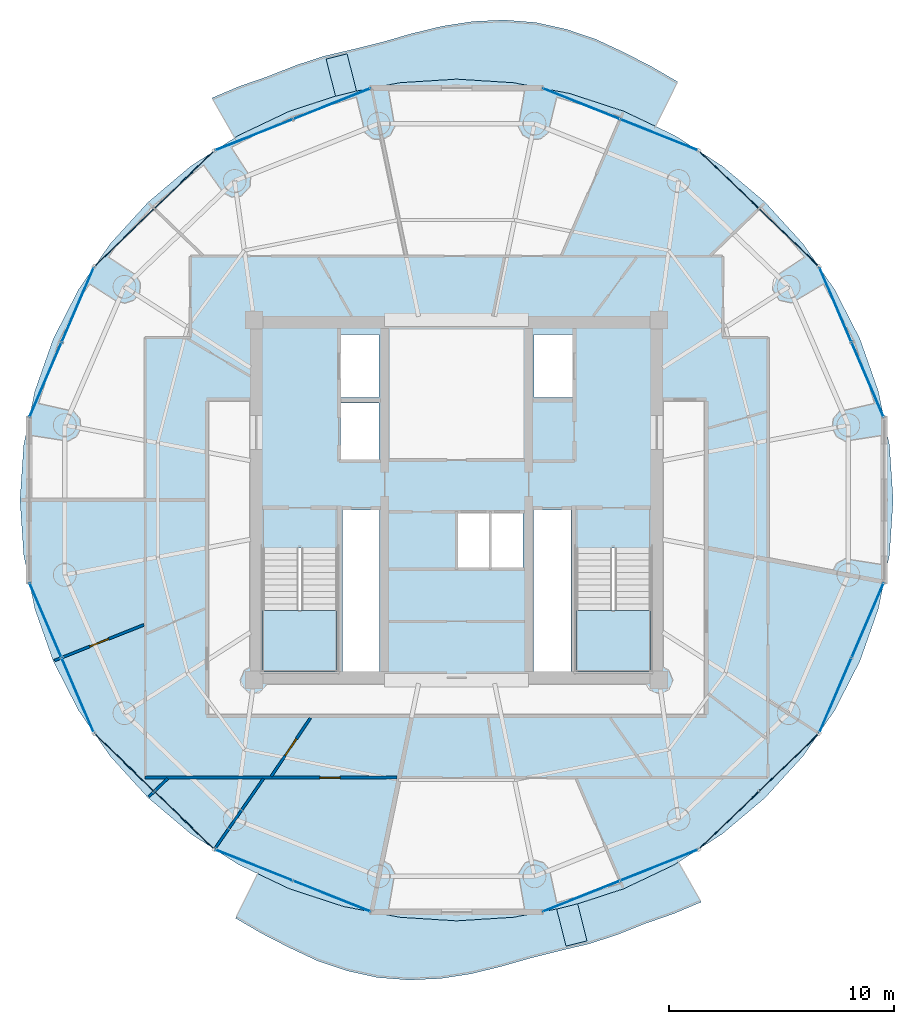
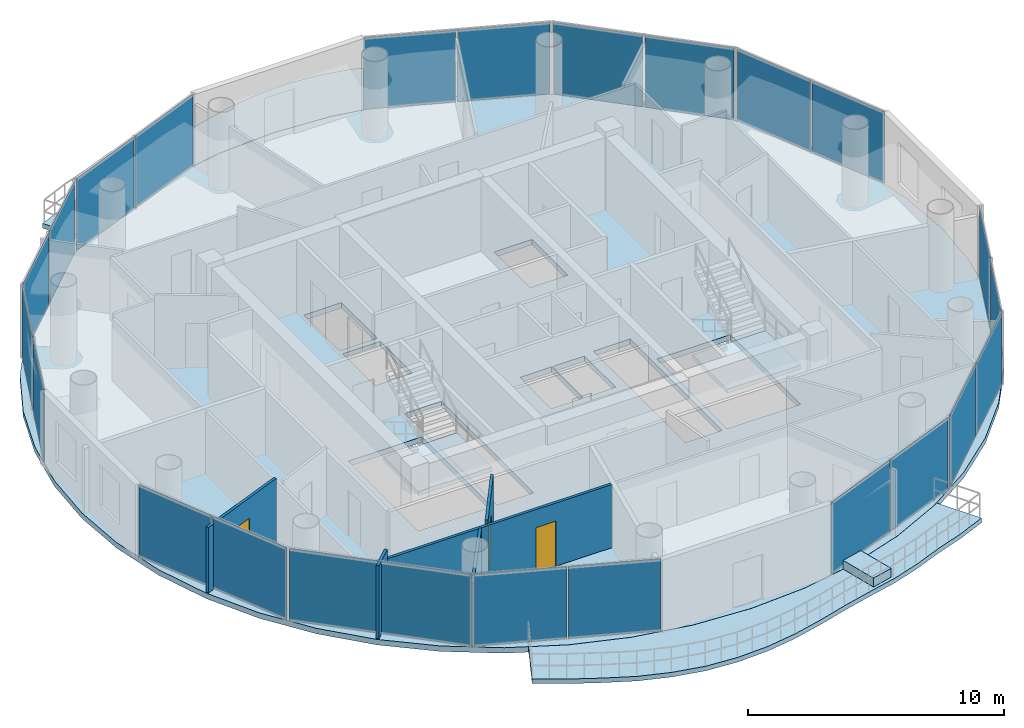
# One storey, part 16 of 23: 24 plates, 7 slabs, 5 walls, 3 doors, 3 openings, 14 elements without a shape of their own.
"""IFC4 building model written with IfcOpenShell, lengths in metres."""

from ifc_helpers import new_model, si_unit, direction, frame, frame_2d, origin, origin_2d, place, context, subcontext, project, spatial, polyline, rectangle, outline, extrude, source, transform, mapped, material, layer, layer_set, type_object, element, fill, aggregate, save


model = new_model("IFC4")

# Units and contexts
model_context = context("Model", 3, precision=1e-05, world=origin(), true_north=direction((-0.2419218956, 0.970295726276)))
body_context = subcontext(model_context, "Body", "Model", "MODEL_VIEW")
ifc_project = project(units=[si_unit("LENGTHUNIT", "METRE"), si_unit("AREAUNIT", "SQUARE_METRE"), si_unit("VOLUMEUNIT", "CUBIC_METRE"), si_unit("PLANEANGLEUNIT", "RADIAN"), si_unit("MASSUNIT", "GRAM", prefix="KILO")], contexts=[model_context])

# Site, building, storey
site_placement = place(None, origin())
site = spatial("IfcSite", under=ifc_project, at=site_placement, CompositionType="ELEMENT")
building_placement = place(site_placement, origin())
building = spatial("IfcBuilding", under=site, at=building_placement, Name="Cobrevalo Terracotta Tower", CompositionType="ELEMENT")
storey_placement = place(building_placement, frame((0.0, 0.0, 266.949951171875)))
storey = spatial("IfcBuildingStorey", under=building, at=storey_placement, Name="L70", CompositionType="ELEMENT", Elevation=266.949951171875)

# Stair, slab
ifc_material_1 = material(Name="Concrete C50", Category="concrete")
stair_type = type_object("IfcStairType", Name="Core protected escape dogleg stair 1600", PredefinedType="HALF_TURN_STAIR", material=ifc_material_1)
stair_1_placement = place(storey_placement, origin())
stair_1 = element("IfcStair", 1, at=stair_1_placement, inside=storey, type_object=stair_type, Name="L70 Protected exit stair ST-1", PredefinedType="HALF_TURN_STAIR")
ifc_layer_1 = layer(ifc_material_1, 0.199951171875)
ifc_layer_set_1 = layer_set([ifc_layer_1], Name="Concrete C50")
slab_type_1 = type_object("IfcSlabType", Name="Reinforced Concrete Stair Landing 200", PredefinedType="LANDING", material=ifc_layer_set_1)
slab_1_placement = place(storey_placement, frame((0.0, 0.0, 1.675048828125)))
slab_1 = element("IfcSlab", 2, at=slab_1_placement, type_object=slab_type_1, Name="ST-1 landing 1", PredefinedType="LANDING", context=body_context, shape_type="SweptSolid", body=[
    extrude(outline(polyline([(29.375, 21.89990234375), (29.375, 19.175048828125), (32.695068359375, 19.175048828125), (32.695068359375, 21.89990234375), (29.375, 21.89990234375)])), origin(), (0.0, 0.0, 1.0), 0.199951171875),
])
aggregate(stair_1, [slab_1])

stair_2_placement = place(storey_placement, origin())
stair_2 = element("IfcStair", 3, at=stair_2_placement, inside=storey, type_object=stair_type, Name="L70 Protected exit stair ST-2", PredefinedType="HALF_TURN_STAIR")
slab_2_placement = place(storey_placement, frame((0.0, 0.0, 1.675048828125)))
slab_2 = element("IfcSlab", 4, at=slab_2_placement, type_object=slab_type_1, Name="ST-2 landing 1", PredefinedType="LANDING", context=body_context, shape_type="SweptSolid", body=[
    extrude(outline(polyline([(43.304931640625, 21.89990234375), (43.304931640625, 19.175048828125), (46.625, 19.175048828125), (46.625, 21.89990234375), (43.304931640625, 21.89990234375)])), origin(), (0.0, 0.0, 1.0), 0.199951171875),
])
aggregate(stair_2, [slab_2])

# Slabs
ifc_material_2 = material(Name="Concrete C45", Category="concrete")
ifc_layer_2 = layer(ifc_material_2, 0.219970703125)
ifc_layer_set_2 = layer_set([ifc_layer_2], Name="Concrete C45")
slab_type_2 = type_object("IfcSlabType", Name="Spiralling cantilevered balcony lobe slab 220 mm", PredefinedType="FLOOR", material=ifc_layer_set_2)
slab_3_placement = place(storey_placement, frame((0.0, 0.0, -0.219970703125)))
element("IfcSlab", 5, at=slab_3_placement, inside=storey, type_object=slab_type_2, Name="L70 spiralling arc balcony slab lobe 1", PredefinedType="FLOOR", context=body_context, shape_type="SweptSolid", body=[
    extrude(outline(polyline([(47.822509765625, 45.383056640625), (46.648193359375, 46.066650390625), (45.4306640625, 46.692138671875), (44.17578125, 47.2802734375), (42.86181640625, 47.72314453125), (41.503662109375, 48.021240234375), (40.118896484375, 48.129150390625), (38.728271484375, 48.066162109375), (37.357666015625, 47.854736328125), (36.015625, 47.52734375), (34.709228515625, 47.15283203125), (33.411865234375, 46.8291015625), (32.11767578125, 46.525634765625), (30.853515625, 46.113525390625), (29.621826171875, 45.6220703125), (28.361083984375, 45.186279296875), (27.12841796875, 44.664794921875), (28.1376953125, 42.892578125), (28.299072265625, 42.996337890625), (30.5751953125, 44.078369140625), (32.978271484375, 44.86474609375), (35.467529296875, 45.342041015625), (38.0, 45.501953125), (40.532470703125, 45.342041015625), (43.021728515625, 44.86474609375), (45.4248046875, 44.078369140625), (46.84326171875, 43.404296875), (47.822509765625, 45.383056640625)])), origin(), (0.0, 0.0, 1.0), 0.219970703125),
])
slab_4_placement = place(storey_placement, frame((0.0, 0.0, -0.219970703125)))
element("IfcSlab", 6, at=slab_4_placement, inside=storey, type_object=slab_type_2, Name="L70 spiralling arc balcony slab lobe 2", PredefinedType="FLOOR", context=body_context, shape_type="SweptSolid", body=[
    extrude(outline(polyline([(28.177490234375, 8.216796875), (29.351806640625, 7.533447265625), (30.5693359375, 6.907958984375), (31.82421875, 6.319580078125), (33.13818359375, 5.876953125), (34.496337890625, 5.57861328125), (35.881103515625, 5.470947265625), (37.271728515625, 5.533935546875), (38.642333984375, 5.745361328125), (39.984375, 6.072509765625), (41.290771484375, 6.447021484375), (42.588134765625, 6.77099609375), (43.88232421875, 7.074462890625), (45.146484375, 7.486328125), (46.378173828125, 7.97802734375), (47.638916015625, 8.41357421875), (48.87158203125, 8.93505859375), (47.8623046875, 10.70751953125), (47.700927734375, 10.603515625), (45.4248046875, 9.521484375), (43.021728515625, 8.7353515625), (40.532470703125, 8.258056640625), (38.0, 8.097900390625), (35.467529296875, 8.258056640625), (32.978271484375, 8.7353515625), (30.5751953125, 9.521484375), (29.15673828125, 10.19580078125), (28.177490234375, 8.216796875)])), origin(), (0.0, 0.0, 1.0), 0.219970703125),
])
ifc_material_3 = material(Name="Precast concrete C45", Category="concrete")
ifc_layer_3 = layer(ifc_material_3, 0.419921875)
ifc_layer_set_3 = layer_set([ifc_layer_3], Name="Precast concrete C45")
slab_type_3 = type_object("IfcSlabType", Name="Structural tree planter trough base 420 mm", PredefinedType="USERDEFINED", material=ifc_layer_set_3)
slab_5_placement = place(storey_placement, origin())
element("IfcSlab", 7, at=slab_5_placement, inside=storey, type_object=slab_type_3, Name="L70 structural tree planter trough 1", ObjectType="PLANTER", PredefinedType="USERDEFINED", context=body_context, shape_type="SweptSolid", body=[
    extrude(outline(polyline([(33.552001953125, 44.97705078125), (33.135498046875, 46.625244140625), (32.204833984375, 46.389892578125), (32.621337890625, 44.74169921875), (33.552001953125, 44.97705078125)])), origin(), (0.0, 0.0, 1.0), 0.420166015625),
])
slab_6_placement = place(storey_placement, origin())
element("IfcSlab", 8, at=slab_6_placement, inside=storey, type_object=slab_type_3, Name="L70 structural tree planter trough 2", ObjectType="PLANTER", PredefinedType="USERDEFINED", context=body_context, shape_type="SweptSolid", body=[
    extrude(outline(polyline([(42.447998046875, 8.623046875), (42.864501953125, 6.974853515625), (43.795166015625, 7.2099609375), (43.378662109375, 8.858154296875), (42.447998046875, 8.623046875)])), origin(), (0.0, 0.0, 1.0), 0.420166015625),
])
ifc_layer_4 = layer(ifc_material_2, 0.260009765625)
ifc_layer_set_4 = layer_set([ifc_layer_4], Name="Concrete C45")
slab_type_4 = type_object("IfcSlabType", Name="Zone Z5 elliptical floor plate 260 mm", PredefinedType="FLOOR", material=ifc_layer_set_4)
slab_7_placement = place(storey_placement, frame((0.0, 0.0, -0.260009765625)))
element("IfcSlab", 9, at=slab_7_placement, inside=storey, type_object=slab_type_4, Name="L70 indoor elliptical floor slab", PredefinedType="FLOOR", context=body_context, shape_type="SweptSolid", body=[
    extrude(outline(polyline([(57.234130859375, 24.359130859375), (56.739013671875, 21.9599609375), (55.92333984375, 19.643798828125), (54.80078125, 17.449951171875), (53.39111328125, 15.416259765625), (51.7177734375, 13.5771484375), (49.81005859375, 11.96435546875), (47.699951171875, 10.605224609375), (45.424072265625, 9.5234375), (43.02099609375, 8.7373046875), (40.5322265625, 8.260009765625), (38.0, 8.10009765625), (35.4677734375, 8.260009765625), (32.97900390625, 8.7373046875), (30.575927734375, 9.5234375), (28.300048828125, 10.605224609375), (26.18994140625, 11.96435546875), (24.2822265625, 13.5771484375), (22.60888671875, 15.416259765625), (21.19921875, 17.449951171875), (20.07666015625, 19.643798828125), (19.260986328125, 21.9599609375), (18.765869140625, 24.359130859375), (18.60009765625, 26.800048828125), (18.765869140625, 29.24072265625), (19.260986328125, 31.639892578125), (20.07666015625, 33.956298828125), (21.19921875, 36.14990234375), (22.60888671875, 38.183837890625), (24.2822265625, 40.02294921875), (26.18994140625, 41.6357421875), (28.300048828125, 42.99462890625), (30.575927734375, 44.07666015625), (32.97900390625, 44.86279296875), (35.4677734375, 45.340087890625), (38.0, 45.5), (40.5322265625, 45.340087890625), (43.02099609375, 44.86279296875), (45.424072265625, 44.07666015625), (47.699951171875, 42.99462890625), (49.81005859375, 41.6357421875), (51.7177734375, 40.02294921875), (53.39111328125, 38.183837890625), (54.80078125, 36.14990234375), (55.92333984375, 33.956298828125), (56.739013671875, 31.639892578125), (57.234130859375, 29.24072265625), (57.39990234375, 26.800048828125), (57.234130859375, 24.359130859375)]), holes=[polyline([(32.695068359375, 19.175048828125), (32.695068359375, 24.659912109375), (29.375, 24.659912109375), (29.375, 19.175048828125), (32.695068359375, 19.175048828125)]), polyline([(46.625, 19.175048828125), (46.625, 24.659912109375), (43.304931640625, 24.659912109375), (43.304931640625, 19.175048828125), (46.625, 19.175048828125)]), polyline([(34.574951171875, 26.360107421875), (32.919921875, 26.360107421875), (32.919921875, 19.175048828125), (34.574951171875, 19.175048828125), (34.574951171875, 26.360107421875)]), polyline([(43.080078125, 26.360107421875), (41.425048828125, 26.360107421875), (41.425048828125, 19.175048828125), (43.080078125, 19.175048828125), (43.080078125, 26.360107421875)]), polyline([(39.469970703125, 26.25), (38.0400390625, 26.25), (38.0400390625, 23.800048828125), (39.469970703125, 23.800048828125), (39.469970703125, 26.25)]), polyline([(40.949951171875, 26.25), (39.52001953125, 26.25), (39.52001953125, 23.800048828125), (40.949951171875, 23.800048828125), (40.949951171875, 26.25)]), polyline([(34.550048828125, 31.10009765625), (32.85009765625, 31.10009765625), (32.85009765625, 28.60009765625), (34.550048828125, 28.60009765625), (34.550048828125, 31.10009765625)]), polyline([(34.550048828125, 31.35009765625), (34.550048828125, 34.14990234375), (32.85009765625, 34.14990234375), (32.85009765625, 31.35009765625), (34.550048828125, 31.35009765625)]), polyline([(43.14990234375, 31.35009765625), (43.14990234375, 34.14990234375), (41.449951171875, 34.14990234375), (41.449951171875, 31.35009765625), (43.14990234375, 31.35009765625)])]), origin(), (0.0, 0.0, 1.0), 0.260009765625),
])

# Curtain wall, plates
ifc_material_4 = material(Name="Anodized aluminium", Category="aluminium")
curtain_wall_type = type_object("IfcCurtainWallType", Name="Upper-tower triple-glazed penthouse curtain wall CW-U3", PredefinedType="NOTDEFINED", material=ifc_material_4)
curtain_wall_1_placement = place(storey_placement, origin())
curtain_wall_1 = element("IfcCurtainWall", 10, at=curtain_wall_1_placement, inside=storey, type_object=curtain_wall_type, Name="L70 curtain wall CW-L70-S02", PredefinedType="NOTDEFINED")
ifc_material_5 = material(Name="Solar-control low-E double glazing", Category="glass")
ifc_layer_5 = layer(ifc_material_5, 0.028076171875)
ifc_layer_set_5 = layer_set([ifc_layer_5], Name="Solar-control low-E double glazing")
plate_type = type_object("IfcPlateType", Name="Tower solar-control low-E vision glass panel 28 mm", PredefinedType="CURTAIN_PANEL", material=ifc_layer_set_5)
shared_shape_1 = source(origin(), body_context, "Body", "SweptSolid", [
    extrude(rectangle(XDim=3.59130859375, YDim=0.035888671875, at=origin_2d()), origin(), (0.0, 0.0, 1.0), 3.409912109375),
])
plate_1_placement = place(storey_placement, frame((52.755126953125, 38.47412109375, 0.0400390625), z_axis=(0.0, 0.0, 1.0), x_axis=(-0.719996603293, 0.693977586992, 0.0)))
plate_1 = element("IfcPlate", 11, at=plate_1_placement, type_object=plate_type, Name="CW-L70-S02 glazing panel B01", PredefinedType="CURTAIN_PANEL", context=body_context, shape_type="MappedRepresentation", body=[
    mapped(shared_shape_1, transform((0.0, 0.0, 0.0), scale=1.0)),
])
plate_2_placement = place(storey_placement, frame((50.11181640625, 41.02197265625, 0.0400390625), z_axis=(0.0, 0.0, 1.0), x_axis=(-0.719996603293, 0.693977586992, 0.0)))
plate_2 = element("IfcPlate", 12, at=plate_2_placement, type_object=plate_type, Name="CW-L70-S02 glazing panel B02", PredefinedType="CURTAIN_PANEL", context=body_context, shape_type="MappedRepresentation", body=[
    mapped(shared_shape_1, transform((0.0, 0.0, 0.0), scale=1.0)),
])
aggregate(curtain_wall_1, [plate_1, plate_2])

curtain_wall_2_placement = place(storey_placement, origin())
curtain_wall_2 = element("IfcCurtainWall", 13, at=curtain_wall_2_placement, inside=storey, type_object=curtain_wall_type, Name="L70 curtain wall CW-L70-S06", PredefinedType="NOTDEFINED")
plate_3_placement = place(storey_placement, frame((25.88818359375, 41.02197265625, 0.0400390625), z_axis=(0.0, 0.0, 1.0), x_axis=(-0.719996603293, -0.693977586992, 0.0)))
plate_3 = element("IfcPlate", 14, at=plate_3_placement, type_object=plate_type, Name="CW-L70-S06 glazing panel B01", PredefinedType="CURTAIN_PANEL", context=body_context, shape_type="MappedRepresentation", body=[
    mapped(shared_shape_1, transform((0.0, 0.0, 0.0), scale=1.0)),
])
plate_4_placement = place(storey_placement, frame((23.244873046875, 38.47412109375, 0.0400390625), z_axis=(0.0, 0.0, 1.0), x_axis=(-0.719996603293, -0.693977586992, 0.0)))
plate_4 = element("IfcPlate", 15, at=plate_4_placement, type_object=plate_type, Name="CW-L70-S06 glazing panel B02", PredefinedType="CURTAIN_PANEL", context=body_context, shape_type="MappedRepresentation", body=[
    mapped(shared_shape_1, transform((0.0, 0.0, 0.0), scale=1.0)),
])
aggregate(curtain_wall_2, [plate_3, plate_4])

curtain_wall_3_placement = place(storey_placement, origin())
curtain_wall_3 = element("IfcCurtainWall", 16, at=curtain_wall_3_placement, inside=storey, type_object=curtain_wall_type, Name="L70 curtain wall CW-L70-S10", PredefinedType="NOTDEFINED")
plate_5_placement = place(storey_placement, frame((23.244873046875, 15.1259765625, 0.0400390625), z_axis=(0.0, 0.0, 1.0), x_axis=(0.719996603293, -0.693977586992, 0.0)))
plate_5 = element("IfcPlate", 17, at=plate_5_placement, type_object=plate_type, Name="CW-L70-S10 glazing panel B01", PredefinedType="CURTAIN_PANEL", context=body_context, shape_type="MappedRepresentation", body=[
    mapped(shared_shape_1, transform((0.0, 0.0, 0.0), scale=1.0)),
])
plate_6_placement = place(storey_placement, frame((25.88818359375, 12.578125, 0.0400390625), z_axis=(0.0, 0.0, 1.0), x_axis=(0.719996603293, -0.693977586992, 0.0)))
plate_6 = element("IfcPlate", 18, at=plate_6_placement, type_object=plate_type, Name="CW-L70-S10 glazing panel B02", PredefinedType="CURTAIN_PANEL", context=body_context, shape_type="MappedRepresentation", body=[
    mapped(shared_shape_1, transform((0.0, 0.0, 0.0), scale=1.0)),
])
aggregate(curtain_wall_3, [plate_5, plate_6])

curtain_wall_4_placement = place(storey_placement, origin())
curtain_wall_4 = element("IfcCurtainWall", 19, at=curtain_wall_4_placement, inside=storey, type_object=curtain_wall_type, Name="L70 curtain wall CW-L70-S14", PredefinedType="NOTDEFINED")
plate_7_placement = place(storey_placement, frame((50.11181640625, 12.578125, 0.0400390625), z_axis=(0.0, 0.0, 1.0), x_axis=(0.719996603293, 0.693977586992, 0.0)))
plate_7 = element("IfcPlate", 20, at=plate_7_placement, type_object=plate_type, Name="CW-L70-S14 glazing panel B01", PredefinedType="CURTAIN_PANEL", context=body_context, shape_type="MappedRepresentation", body=[
    mapped(shared_shape_1, transform((0.0, 0.0, 0.0), scale=1.0)),
])
plate_8_placement = place(storey_placement, frame((52.755126953125, 15.1259765625, 0.0400390625), z_axis=(0.0, 0.0, 1.0), x_axis=(0.719996603293, 0.693977586992, 0.0)))
plate_8 = element("IfcPlate", 21, at=plate_8_placement, type_object=plate_type, Name="CW-L70-S14 glazing panel B02", PredefinedType="CURTAIN_PANEL", context=body_context, shape_type="MappedRepresentation", body=[
    mapped(shared_shape_1, transform((0.0, 0.0, 0.0), scale=1.0)),
])
aggregate(curtain_wall_4, [plate_7, plate_8])

curtain_wall_5_placement = place(storey_placement, origin())
curtain_wall_5 = element("IfcCurtainWall", 22, at=curtain_wall_5_placement, inside=storey, type_object=curtain_wall_type, Name="L70 curtain wall CW-L70-S03", PredefinedType="NOTDEFINED")
shared_shape_2 = source(origin(), body_context, "Body", "SweptSolid", [
    extrude(rectangle(XDim=3.63916015625, YDim=0.035888671875, at=origin_2d()), origin(), (0.0, 0.0, 1.0), 3.409912109375),
])
plate_9_placement = place(storey_placement, frame((46.997314453125, 43.02783203125, 0.0400390625), z_axis=(0.0, 0.0, 1.0), x_axis=(-0.92871833374, 0.370785998353, 0.0)))
plate_9 = element("IfcPlate", 23, at=plate_9_placement, type_object=plate_type, Name="CW-L70-S03 glazing panel B01", PredefinedType="CURTAIN_PANEL", context=body_context, shape_type="MappedRepresentation", body=[
    mapped(shared_shape_2, transform((0.0, 0.0, 0.0), scale=1.0)),
])
plate_10_placement = place(storey_placement, frame((43.543212890625, 44.406982421875, 0.0400390625), z_axis=(0.0, 0.0, 1.0), x_axis=(-0.92871833374, 0.370785998353, 0.0)))
plate_10 = element("IfcPlate", 24, at=plate_10_placement, type_object=plate_type, Name="CW-L70-S03 glazing panel B02", PredefinedType="CURTAIN_PANEL", context=body_context, shape_type="MappedRepresentation", body=[
    mapped(shared_shape_2, transform((0.0, 0.0, 0.0), scale=1.0)),
])
aggregate(curtain_wall_5, [plate_9, plate_10])

curtain_wall_6_placement = place(storey_placement, origin())
curtain_wall_6 = element("IfcCurtainWall", 25, at=curtain_wall_6_placement, inside=storey, type_object=curtain_wall_type, Name="L70 curtain wall CW-L70-S05", PredefinedType="NOTDEFINED")
plate_11_placement = place(storey_placement, frame((32.456787109375, 44.406982421875, 0.0400390625), z_axis=(0.0, 0.0, 1.0), x_axis=(-0.92871833374, -0.370785998353, 0.0)))
plate_11 = element("IfcPlate", 26, at=plate_11_placement, type_object=plate_type, Name="CW-L70-S05 glazing panel B01", PredefinedType="CURTAIN_PANEL", context=body_context, shape_type="MappedRepresentation", body=[
    mapped(shared_shape_2, transform((0.0, 0.0, 0.0), scale=1.0)),
])
plate_12_placement = place(storey_placement, frame((29.002685546875, 43.02783203125, 0.0400390625), z_axis=(0.0, 0.0, 1.0), x_axis=(-0.92871833374, -0.370785998353, 0.0)))
plate_12 = element("IfcPlate", 27, at=plate_12_placement, type_object=plate_type, Name="CW-L70-S05 glazing panel B02", PredefinedType="CURTAIN_PANEL", context=body_context, shape_type="MappedRepresentation", body=[
    mapped(shared_shape_2, transform((0.0, 0.0, 0.0), scale=1.0)),
])
aggregate(curtain_wall_6, [plate_11, plate_12])

curtain_wall_7_placement = place(storey_placement, origin())
curtain_wall_7 = element("IfcCurtainWall", 28, at=curtain_wall_7_placement, inside=storey, type_object=curtain_wall_type, Name="L70 curtain wall CW-L70-S11", PredefinedType="NOTDEFINED")
plate_13_placement = place(storey_placement, frame((29.002685546875, 10.572021484375, 0.0400390625), z_axis=(0.0, 0.0, 1.0), x_axis=(0.92871833374, -0.370785998353, 0.0)))
plate_13 = element("IfcPlate", 29, at=plate_13_placement, type_object=plate_type, Name="CW-L70-S11 glazing panel B01", PredefinedType="CURTAIN_PANEL", context=body_context, shape_type="MappedRepresentation", body=[
    mapped(shared_shape_2, transform((0.0, 0.0, 0.0), scale=1.0)),
])
plate_14_placement = place(storey_placement, frame((32.456787109375, 9.193115234375, 0.0400390625), z_axis=(0.0, 0.0, 1.0), x_axis=(0.92871833374, -0.370785998353, 0.0)))
plate_14 = element("IfcPlate", 30, at=plate_14_placement, type_object=plate_type, Name="CW-L70-S11 glazing panel B02", PredefinedType="CURTAIN_PANEL", context=body_context, shape_type="MappedRepresentation", body=[
    mapped(shared_shape_2, transform((0.0, 0.0, 0.0), scale=1.0)),
])
aggregate(curtain_wall_7, [plate_13, plate_14])

curtain_wall_8_placement = place(storey_placement, origin())
curtain_wall_8 = element("IfcCurtainWall", 31, at=curtain_wall_8_placement, inside=storey, type_object=curtain_wall_type, Name="L70 curtain wall CW-L70-S13", PredefinedType="NOTDEFINED")
plate_15_placement = place(storey_placement, frame((43.543212890625, 9.193115234375, 0.0400390625), z_axis=(0.0, 0.0, 1.0), x_axis=(0.92871833374, 0.370785998353, 0.0)))
plate_15 = element("IfcPlate", 32, at=plate_15_placement, type_object=plate_type, Name="CW-L70-S13 glazing panel B01", PredefinedType="CURTAIN_PANEL", context=body_context, shape_type="MappedRepresentation", body=[
    mapped(shared_shape_2, transform((0.0, 0.0, 0.0), scale=1.0)),
])
plate_16_placement = place(storey_placement, frame((46.997314453125, 10.572021484375, 0.0400390625), z_axis=(0.0, 0.0, 1.0), x_axis=(0.92871833374, 0.370785998353, 0.0)))
plate_16 = element("IfcPlate", 33, at=plate_16_placement, type_object=plate_type, Name="CW-L70-S13 glazing panel B02", PredefinedType="CURTAIN_PANEL", context=body_context, shape_type="MappedRepresentation", body=[
    mapped(shared_shape_2, transform((0.0, 0.0, 0.0), scale=1.0)),
])
aggregate(curtain_wall_8, [plate_15, plate_16])

curtain_wall_9_placement = place(storey_placement, origin())
curtain_wall_9 = element("IfcCurtainWall", 34, at=curtain_wall_9_placement, inside=storey, type_object=curtain_wall_type, Name="L70 curtain wall CW-L70-S01", PredefinedType="NOTDEFINED")
shared_shape_3 = source(origin(), body_context, "Body", "SweptSolid", [
    extrude(rectangle(XDim=3.542724609375, YDim=0.035888671875, at=origin_2d()), origin(), (0.0, 0.0, 1.0), 3.409912109375),
])
plate_17_placement = place(storey_placement, frame((56.266845703125, 32.143310546875, 0.0400390625), z_axis=(0.0, 0.0, 1.0), x_axis=(-0.394828845134, 0.918754691444, 0.0)))
plate_17 = element("IfcPlate", 35, at=plate_17_placement, type_object=plate_type, Name="CW-L70-S01 glazing panel B01", PredefinedType="CURTAIN_PANEL", context=body_context, shape_type="MappedRepresentation", body=[
    mapped(shared_shape_3, transform((0.0, 0.0, 0.0), scale=1.0)),
])
plate_18_placement = place(storey_placement, frame((54.83642578125, 35.4716796875, 0.0400390625), z_axis=(0.0, 0.0, 1.0), x_axis=(-0.394828845134, 0.918754691444, 0.0)))
plate_18 = element("IfcPlate", 36, at=plate_18_placement, type_object=plate_type, Name="CW-L70-S01 glazing panel B02", PredefinedType="CURTAIN_PANEL", context=body_context, shape_type="MappedRepresentation", body=[
    mapped(shared_shape_3, transform((0.0, 0.0, 0.0), scale=1.0)),
])
aggregate(curtain_wall_9, [plate_17, plate_18])

curtain_wall_10_placement = place(storey_placement, origin())
curtain_wall_10 = element("IfcCurtainWall", 37, at=curtain_wall_10_placement, inside=storey, type_object=curtain_wall_type, Name="L70 curtain wall CW-L70-S07", PredefinedType="NOTDEFINED")
plate_19_placement = place(storey_placement, frame((21.16357421875, 35.4716796875, 0.0400390625), z_axis=(0.0, 0.0, 1.0), x_axis=(-0.394828845134, -0.918754691444, 0.0)))
plate_19 = element("IfcPlate", 38, at=plate_19_placement, type_object=plate_type, Name="CW-L70-S07 glazing panel B01", PredefinedType="CURTAIN_PANEL", context=body_context, shape_type="MappedRepresentation", body=[
    mapped(shared_shape_3, transform((0.0, 0.0, 0.0), scale=1.0)),
])
plate_20_placement = place(storey_placement, frame((19.733154296875, 32.143310546875, 0.0400390625), z_axis=(0.0, 0.0, 1.0), x_axis=(-0.394828845134, -0.918754691444, 0.0)))
plate_20 = element("IfcPlate", 39, at=plate_20_placement, type_object=plate_type, Name="CW-L70-S07 glazing panel B02", PredefinedType="CURTAIN_PANEL", context=body_context, shape_type="MappedRepresentation", body=[
    mapped(shared_shape_3, transform((0.0, 0.0, 0.0), scale=1.0)),
])
aggregate(curtain_wall_10, [plate_19, plate_20])

curtain_wall_11_placement = place(storey_placement, origin())
curtain_wall_11 = element("IfcCurtainWall", 40, at=curtain_wall_11_placement, inside=storey, type_object=curtain_wall_type, Name="L70 curtain wall CW-L70-S09", PredefinedType="NOTDEFINED")
plate_21_placement = place(storey_placement, frame((19.733154296875, 21.456787109375, 0.0400390625), z_axis=(0.0, 0.0, 1.0), x_axis=(0.394828845134, -0.918754691444, 0.0)))
plate_21 = element("IfcPlate", 41, at=plate_21_placement, type_object=plate_type, Name="CW-L70-S09 glazing panel B01", PredefinedType="CURTAIN_PANEL", context=body_context, shape_type="MappedRepresentation", body=[
    mapped(shared_shape_3, transform((0.0, 0.0, 0.0), scale=1.0)),
])
plate_22_placement = place(storey_placement, frame((21.16357421875, 18.12841796875, 0.0400390625), z_axis=(0.0, 0.0, 1.0), x_axis=(0.394828845134, -0.918754691444, 0.0)))
plate_22 = element("IfcPlate", 42, at=plate_22_placement, type_object=plate_type, Name="CW-L70-S09 glazing panel B02", PredefinedType="CURTAIN_PANEL", context=body_context, shape_type="MappedRepresentation", body=[
    mapped(shared_shape_3, transform((0.0, 0.0, 0.0), scale=1.0)),
])
aggregate(curtain_wall_11, [plate_21, plate_22])

curtain_wall_12_placement = place(storey_placement, origin())
curtain_wall_12 = element("IfcCurtainWall", 43, at=curtain_wall_12_placement, inside=storey, type_object=curtain_wall_type, Name="L70 curtain wall CW-L70-S15", PredefinedType="NOTDEFINED")
plate_23_placement = place(storey_placement, frame((54.83642578125, 18.12841796875, 0.0400390625), z_axis=(0.0, 0.0, 1.0), x_axis=(0.394828845134, 0.918754691444, 0.0)))
plate_23 = element("IfcPlate", 44, at=plate_23_placement, type_object=plate_type, Name="CW-L70-S15 glazing panel B01", PredefinedType="CURTAIN_PANEL", context=body_context, shape_type="MappedRepresentation", body=[
    mapped(shared_shape_3, transform((0.0, 0.0, 0.0), scale=1.0)),
])
plate_24_placement = place(storey_placement, frame((56.266845703125, 21.456787109375, 0.0400390625), z_axis=(0.0, 0.0, 1.0), x_axis=(0.394828845134, 0.918754691444, 0.0)))
plate_24 = element("IfcPlate", 45, at=plate_24_placement, type_object=plate_type, Name="CW-L70-S15 glazing panel B02", PredefinedType="CURTAIN_PANEL", context=body_context, shape_type="MappedRepresentation", body=[
    mapped(shared_shape_3, transform((0.0, 0.0, 0.0), scale=1.0)),
])
aggregate(curtain_wall_12, [plate_23, plate_24])

# Wall, opening, door
ifc_material_6 = material(Name="Gypsum board on steel stud", Category="steel")
ifc_layer_6 = layer(ifc_material_6, 0.1201171875)
ifc_layer_set_6 = layer_set([ifc_layer_6], Name="Gypsum board on steel stud")
wall_type = type_object("IfcWallType", Name="Residential internal acoustic stud partition 120 mm", PredefinedType="PARTITIONING", material=ifc_layer_set_6)
wall_1_placement = place(storey_placement, frame((35.3525390625, 14.465087890625, 0.0), z_axis=(0.0, 0.0, 1.0), x_axis=(-1.0, 0.0, 0.0)))
wall_1 = element("IfcWall", 46, at=wall_1_placement, inside=storey, type_object=wall_type, Name="L70 interior partition IW-L70-U2-RING0_0", PredefinedType="PARTITIONING", context=body_context, shape_type="SweptSolid", body=[
    extrude(rectangle(XDim=11.1875, YDim=0.1201171875, at=frame_2d((5.59375, 0.0))), origin(), (0.0, 0.0, 1.0), 3.01513671875),
])
opening_1_placement = place(wall_1_placement, frame((2.522216796875, 0.0, 0.0)))
opening_1 = element("IfcOpeningElement", 47, at=opening_1_placement, cuts=wall_1, Name="Opening ID-12", PredefinedType="OPENING", context=body_context, shape_type="SweptSolid", body=[
    extrude(rectangle(XDim=0.89990234375, YDim=2.14990234375, at=frame_2d((0.449951171875, 1.074951171875))), frame((0.0, 0.070068359375, 0.0), z_axis=(0.0, -1.0, 0.0), x_axis=(1.0, 0.0, 0.0)), (0.0, 0.0, 1.0), 0.14013671875),
])
ifc_material_7 = material(Name="Engineered timber", Category="wood")
door_type = type_object("IfcDoorType", Name="Internal residence & suite timber door 900x2150", OperationType="NOTDEFINED", PredefinedType="DOOR", material=ifc_material_7)
shared_shape_4 = source(origin(), body_context, "Body", "SweptSolid", [
    extrude(rectangle(XDim=0.89990234375, YDim=2.14990234375, at=frame_2d((0.449951171875, 1.074951171875))), frame((0.0, 0.02490234375, 0.0), z_axis=(0.0, -1.0, 0.0), x_axis=(1.0, 0.0, 0.0)), (0.0, 0.0, 1.0), 0.050048828125),
])
door_1_placement = place(opening_1_placement, origin())
door_1 = element("IfcDoor", 48, at=door_1_placement, inside=storey, type_object=door_type, Name="Flat L70B Principal Guest Bedroom internal door", OperationType="SINGLE_SWING_RIGHT", OverallHeight=2.14990234375, OverallWidth=0.89990234375, PredefinedType="DOOR", context=body_context, shape_type="MappedRepresentation", body=[
    mapped(shared_shape_4, transform((0.0, 0.0, 0.0), scale=1.0)),
])
fill(opening_1, door_1)

wall_2_placement = place(storey_placement, frame((24.107421875, 21.253173828125, 0.0), z_axis=(0.0, 0.0, 1.0), x_axis=(-0.928712556691, -0.370800467966, 0.0)))
wall_2 = element("IfcWall", 49, at=wall_2_placement, inside=storey, type_object=wall_type, Name="L70 interior partition IW-L70-U2-ORAD1", PredefinedType="PARTITIONING", context=body_context, shape_type="SweptSolid", body=[
    extrude(rectangle(XDim=4.27978515625, YDim=0.1201171875, at=frame_2d((2.139892578125, 0.0))), origin(), (0.0, 0.0, 1.0), 3.12109375),
])
opening_2_placement = place(wall_2_placement, frame((1.68994140625, 0.0, 0.0)))
opening_2 = element("IfcOpeningElement", 50, at=opening_2_placement, cuts=wall_2, Name="Opening ID-12", PredefinedType="OPENING", context=body_context, shape_type="SweptSolid", body=[
    extrude(rectangle(XDim=0.89990234375, YDim=2.14990234375, at=frame_2d((0.449951171875, 1.074951171875))), frame((0.0, 0.070068359375, 0.0), z_axis=(0.0, -1.0, 0.0), x_axis=(1.0, 0.0, 0.0)), (0.0, 0.0, 1.0), 0.14013671875),
])
door_2_placement = place(opening_2_placement, frame((0.89990234375, 0.0, 0.0), z_axis=(0.0, 0.0, 1.0), x_axis=(-1.0, 0.0, 0.0)))
door_2 = element("IfcDoor", 51, at=door_2_placement, inside=storey, type_object=door_type, Name="Flat L70B Living and Dining Room internal door", OperationType="SINGLE_SWING_LEFT", OverallHeight=2.14990234375, OverallWidth=0.89990234375, PredefinedType="DOOR", context=body_context, shape_type="MappedRepresentation", body=[
    mapped(shared_shape_4, transform((0.0, 0.0, 0.0), scale=1.0)),
])
fill(opening_2, door_2)

# Walls
wall_3_placement = place(storey_placement, frame((25.15869140625, 14.421875, 0.0), z_axis=(0.0, 0.0, 1.0), x_axis=(-0.720070222664, -0.693901199331, 0.0)))
element("IfcWall", 52, at=wall_3_placement, inside=storey, type_object=wall_type, Name="L70 interior partition IW-L70-U2-ORAD2", PredefinedType="PARTITIONING", context=body_context, shape_type="SweptSolid", body=[
    extrude(rectangle(XDim=1.15673828125, YDim=0.1201171875, at=frame_2d((0.578369140625, 0.0))), origin(), (0.0, 0.0, 1.0), 3.489990234375),
])
wall_4_placement = place(storey_placement, frame((29.4140625, 14.4140625, 0.0), z_axis=(0.0, 0.0, 1.0), x_axis=(-0.569657021681, -0.821882520589, 0.0)))
element("IfcWall", 53, at=wall_4_placement, inside=storey, type_object=wall_type, Name="L70 interior partition IW-L70-U2-ORAD3", PredefinedType="PARTITIONING", context=body_context, shape_type="SweptSolid", body=[
    extrude(rectangle(XDim=3.747802734375, YDim=0.1201171875, at=frame_2d((1.8740234375, 0.0))), origin(), (0.0, 0.0, 1.0), 3.01513671875),
])

# Wall, opening, door
wall_5_placement = place(storey_placement, frame((31.50537109375, 17.114990234375, 0.0), z_axis=(0.0, 0.0, 1.0), x_axis=(-0.557003057019, -0.83051044212, 0.0)))
wall_5 = element("IfcWall", 54, at=wall_5_placement, inside=storey, type_object=wall_type, Name="L70 interior partition IW-L70-U2-IRAD2", PredefinedType="PARTITIONING", context=body_context, shape_type="SweptSolid", body=[
    extrude(rectangle(XDim=3.128662109375, YDim=0.1201171875, at=frame_2d((1.564453125, 0.0))), origin(), (0.0, 0.0, 1.0), 3.208984375),
])
opening_3_placement = place(wall_5_placement, frame((1.1142578125, 0.0, 0.0)))
opening_3 = element("IfcOpeningElement", 55, at=opening_3_placement, cuts=wall_5, Name="Opening ID-12", PredefinedType="OPENING", context=body_context, shape_type="SweptSolid", body=[
    extrude(rectangle(XDim=0.89990234375, YDim=2.14990234375, at=frame_2d((0.449951171875, 1.074951171875))), frame((0.0, 0.070068359375, 0.0), z_axis=(0.0, -1.0, 0.0), x_axis=(1.0, 0.0, 0.0)), (0.0, 0.0, 1.0), 0.14013671875),
])
door_3_placement = place(opening_3_placement, origin())
door_3 = element("IfcDoor", 56, at=door_3_placement, inside=storey, type_object=door_type, Name="Flat L70B Kitchen internal door", OperationType="SINGLE_SWING_RIGHT", OverallHeight=2.14990234375, OverallWidth=0.89990234375, PredefinedType="DOOR", context=body_context, shape_type="MappedRepresentation", body=[
    mapped(shared_shape_4, transform((0.0, 0.0, 0.0), scale=1.0)),
])
fill(opening_3, door_3)

save(model, "model.ifc")
